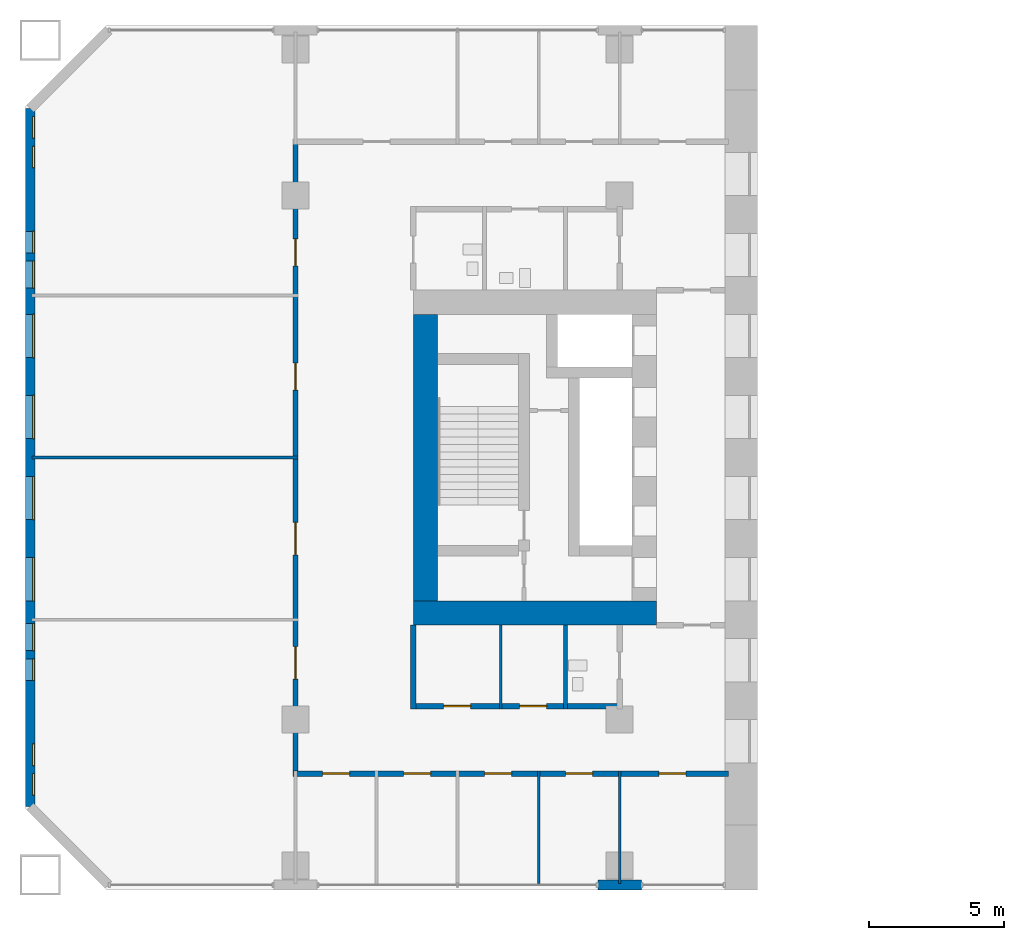
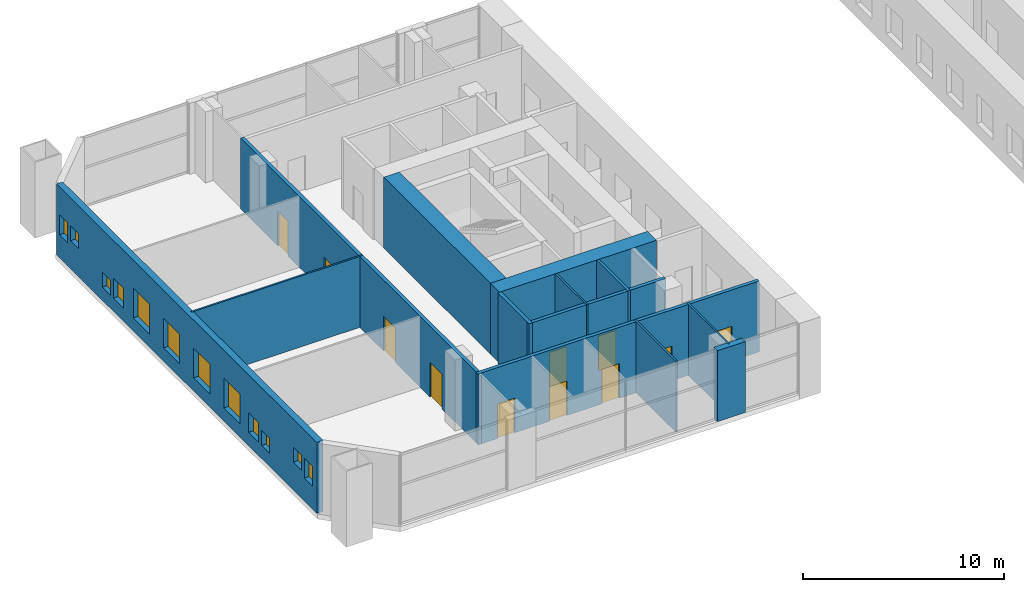
# One storey, part 10 of 21: 13 walls, 12 windows, 11 doors, 23 openings.
"""IFC4 building model written with IfcOpenShell, lengths in metres."""

from ifc_helpers import new_model, si_unit, direction, frame, frame_2d, origin, place, context, subcontext, project, spatial, rectangle, extrude, material, layer, layer_set, type_object, element, fill, save


model = new_model("IFC4")

# Units and contexts
model_context = context("Model", 3, precision=1e-05, world=origin(), true_north=direction((0.0, 1.0)))
body_context = subcontext(model_context, "Body", "Model", "MODEL_VIEW")
ifc_project = project(units=[si_unit("LENGTHUNIT", "METRE"), si_unit("AREAUNIT", "SQUARE_METRE"), si_unit("VOLUMEUNIT", "CUBIC_METRE"), si_unit("PLANEANGLEUNIT", "RADIAN"), si_unit("MASSUNIT", "GRAM", prefix="KILO")], contexts=[model_context])

# Site, building, storey
site_placement = place(None, origin())
site = spatial("IfcSite", under=ifc_project, at=site_placement, CompositionType="ELEMENT")
building_placement = place(site_placement, origin())
building = spatial("IfcBuilding", under=site, at=building_placement, Name="Tuart Gate Housing", CompositionType="ELEMENT")
storey_placement = place(building_placement, frame((0.0, 0.0, 5.5)))
storey = spatial("IfcBuildingStorey", under=building, at=storey_placement, Name="L01", CompositionType="ELEMENT", Elevation=5.5)

# Walls
ifc_material_1 = material(Name="Gypsum board on steel studs", Category="steel")
ifc_layer_1 = layer(ifc_material_1, 0.14990234375)
ifc_layer_set_1 = layer_set([ifc_layer_1], Name="Bathroom wall 150")
wall_type_1 = type_object("IfcWallType", Name="Bathroom wall 150", PredefinedType="PLUMBINGWALL", material=ifc_layer_set_1)
wall_1_placement = place(storey_placement, frame((38.0, 60.699951171875, 0.0), z_axis=(0.0, 0.0, 1.0), x_axis=(0.0, 1.0, 0.0)))
element("IfcWall", 1, at=wall_1_placement, inside=storey, type_object=wall_type_1, Name="Bathroom wall 150", PredefinedType="PLUMBINGWALL", context=body_context, shape_type="SweptSolid", body=[
    extrude(rectangle(XDim=3.10009765625, YDim=0.14990234375, at=frame_2d((1.550048828125, 0.0))), origin(), (0.0, 0.0, 1.0), 4.300048828125),
])
ifc_material_2 = material(Name="Brick", Category="masonry")
ifc_layer_2 = layer(ifc_material_2, 0.360107421875)
ifc_layer_set_2 = layer_set([ifc_layer_2], Name="Brick pier and spandrel wall 360")
wall_type_2 = type_object("IfcWallType", Name="Brick pier and spandrel wall 360", PredefinedType="STANDARD", material=ifc_layer_set_2)
wall_2_placement = place(storey_placement, frame((39.199951171875, 54.179931640625, 0.0), z_axis=(0.0, 0.0, 1.0), x_axis=(1.0, 0.0, 0.0)))
element("IfcWall", 2, at=wall_2_placement, inside=storey, type_object=wall_type_2, Name="External wall A-S L01", PredefinedType="STANDARD", context=body_context, shape_type="SweptSolid", body=[
    extrude(rectangle(XDim=1.60009765625, YDim=0.360107421875, at=frame_2d((0.800048828125, 0.0))), origin(), (0.0, 0.0, 1.0), 4.300048828125),
])

# Wall, openings, windows
wall_3_placement = place(storey_placement, frame((18.179931640625, 82.92529296875, 0.0), z_axis=(0.0, 0.0, 1.0), x_axis=(0.0, -1.0, 0.0)))
wall_3 = element("IfcWall", 3, at=wall_3_placement, inside=storey, type_object=wall_type_2, Name="External wall A-W L01", PredefinedType="STANDARD", context=body_context, shape_type="SweptSolid", body=[
    extrude(rectangle(XDim=25.850830078125, YDim=0.360107421875, at=frame_2d((12.92529296875, 0.0))), origin(), (0.0, 0.0, 1.0), 4.300048828125),
])
opening_1_placement = place(wall_3_placement, frame((0.300048828125, 0.0, 1.39990234375)))
opening_1 = element("IfcOpeningElement", 4, at=opening_1_placement, cuts=wall_3, Name="Opening W1P", PredefinedType="OPENING", context=body_context, shape_type="SweptSolid", body=[
    extrude(rectangle(XDim=0.800048828125, YDim=1.199951171875, at=frame_2d((0.39990234375, 0.60009765625))), frame((0.0, 0.18994140625, 0.0), z_axis=(0.0, -1.0, 0.0), x_axis=(1.0, 0.0, 0.0)), (0.0, 0.0, 1.0), 0.380126953125),
])
opening_2_placement = place(wall_3_placement, frame((1.39990234375, 0.0, 1.699951171875)))
opening_2 = element("IfcOpeningElement", 5, at=opening_2_placement, cuts=wall_3, Name="Opening W1V", PredefinedType="OPENING", context=body_context, shape_type="SweptSolid", body=[
    extrude(rectangle(XDim=0.800048828125, YDim=0.89990234375, at=frame_2d((0.39990234375, 0.449951171875))), frame((0.0, 0.18994140625, 0.0), z_axis=(0.0, -1.0, 0.0), x_axis=(1.0, 0.0, 0.0)), (0.0, 0.0, 1.0), 0.380126953125),
])
opening_3_placement = place(wall_3_placement, frame((7.62548828125, 0.0, 0.800048828125)))
opening_3 = element("IfcOpeningElement", 6, at=opening_3_placement, cuts=wall_3, Name="Opening W1", PredefinedType="OPENING", context=body_context, shape_type="SweptSolid", body=[
    extrude(rectangle(XDim=1.60009765625, YDim=1.800048828125, at=frame_2d((0.800048828125, 0.89990234375))), frame((0.0, 0.18994140625, 0.0), z_axis=(0.0, -1.0, 0.0), x_axis=(1.0, 0.0, 0.0)), (0.0, 0.0, 1.0), 0.380126953125),
])
opening_4_placement = place(wall_3_placement, frame((10.62548828125, 0.0, 0.800048828125)))
opening_4 = element("IfcOpeningElement", 7, at=opening_4_placement, cuts=wall_3, Name="Opening W1", PredefinedType="OPENING", context=body_context, shape_type="SweptSolid", body=[
    extrude(rectangle(XDim=1.60009765625, YDim=1.800048828125, at=frame_2d((0.800048828125, 0.89990234375))), frame((0.0, 0.18994140625, 0.0), z_axis=(0.0, -1.0, 0.0), x_axis=(1.0, 0.0, 0.0)), (0.0, 0.0, 1.0), 0.380126953125),
])
opening_5_placement = place(wall_3_placement, frame((13.62548828125, 0.0, 0.800048828125)))
opening_5 = element("IfcOpeningElement", 8, at=opening_5_placement, cuts=wall_3, Name="Opening W1", PredefinedType="OPENING", context=body_context, shape_type="SweptSolid", body=[
    extrude(rectangle(XDim=1.60009765625, YDim=1.800048828125, at=frame_2d((0.800048828125, 0.89990234375))), frame((0.0, 0.18994140625, 0.0), z_axis=(0.0, -1.0, 0.0), x_axis=(1.0, 0.0, 0.0)), (0.0, 0.0, 1.0), 0.380126953125),
])
opening_6_placement = place(wall_3_placement, frame((16.62548828125, 0.0, 0.800048828125)))
opening_6 = element("IfcOpeningElement", 9, at=opening_6_placement, cuts=wall_3, Name="Opening W1", PredefinedType="OPENING", context=body_context, shape_type="SweptSolid", body=[
    extrude(rectangle(XDim=1.60009765625, YDim=1.800048828125, at=frame_2d((0.800048828125, 0.89990234375))), frame((0.0, 0.18994140625, 0.0), z_axis=(0.0, -1.0, 0.0), x_axis=(1.0, 0.0, 0.0)), (0.0, 0.0, 1.0), 0.380126953125),
])
opening_7_placement = place(wall_3_placement, frame((19.075439453125, 0.0, 0.800048828125)))
opening_7 = element("IfcOpeningElement", 10, at=opening_7_placement, cuts=wall_3, Name="Opening W1O", PredefinedType="OPENING", context=body_context, shape_type="SweptSolid", body=[
    extrude(rectangle(XDim=1.0, YDim=1.199951171875, at=frame_2d((0.5, 0.60009765625))), frame((0.0, 0.18994140625, 0.0), z_axis=(0.0, -1.0, 0.0), x_axis=(1.0, 0.0, 0.0)), (0.0, 0.0, 1.0), 0.380126953125),
])
opening_8_placement = place(wall_3_placement, frame((20.37548828125, 0.0, 0.800048828125)))
opening_8 = element("IfcOpeningElement", 11, at=opening_8_placement, cuts=wall_3, Name="Opening W1V", PredefinedType="OPENING", context=body_context, shape_type="SweptSolid", body=[
    extrude(rectangle(XDim=0.800048828125, YDim=0.89990234375, at=frame_2d((0.39990234375, 0.449951171875))), frame((0.0, 0.18994140625, 0.0), z_axis=(0.0, -1.0, 0.0), x_axis=(1.0, 0.0, 0.0)), (0.0, 0.0, 1.0), 0.380126953125),
])
opening_9_placement = place(wall_3_placement, frame((4.550048828125, 0.0, 0.800048828125)))
opening_9 = element("IfcOpeningElement", 12, at=opening_9_placement, cuts=wall_3, Name="Opening W1V", PredefinedType="OPENING", context=body_context, shape_type="SweptSolid", body=[
    extrude(rectangle(XDim=0.800048828125, YDim=0.89990234375, at=frame_2d((0.39990234375, 0.449951171875))), frame((0.0, 0.18994140625, 0.0), z_axis=(0.0, -1.0, 0.0), x_axis=(1.0, 0.0, 0.0)), (0.0, 0.0, 1.0), 0.380126953125),
])
opening_10_placement = place(wall_3_placement, frame((5.64990234375, 0.0, 0.800048828125)))
opening_10 = element("IfcOpeningElement", 13, at=opening_10_placement, cuts=wall_3, Name="Opening W1O", PredefinedType="OPENING", context=body_context, shape_type="SweptSolid", body=[
    extrude(rectangle(XDim=1.0, YDim=1.199951171875, at=frame_2d((0.5, 0.60009765625))), frame((0.0, 0.18994140625, 0.0), z_axis=(0.0, -1.0, 0.0), x_axis=(1.0, 0.0, 0.0)), (0.0, 0.0, 1.0), 0.380126953125),
])
opening_11_placement = place(wall_3_placement, frame((23.525390625, 0.0, 1.699951171875)))
opening_11 = element("IfcOpeningElement", 14, at=opening_11_placement, cuts=wall_3, Name="Opening W1V", PredefinedType="OPENING", context=body_context, shape_type="SweptSolid", body=[
    extrude(rectangle(XDim=0.800048828125, YDim=0.89990234375, at=frame_2d((0.39990234375, 0.449951171875))), frame((0.0, 0.18994140625, 0.0), z_axis=(0.0, -1.0, 0.0), x_axis=(1.0, 0.0, 0.0)), (0.0, 0.0, 1.0), 0.380126953125),
])
opening_12_placement = place(wall_3_placement, frame((24.62548828125, 0.0, 1.39990234375)))
opening_12 = element("IfcOpeningElement", 15, at=opening_12_placement, cuts=wall_3, Name="Opening W1P", PredefinedType="OPENING", context=body_context, shape_type="SweptSolid", body=[
    extrude(rectangle(XDim=0.800048828125, YDim=1.199951171875, at=frame_2d((0.39990234375, 0.60009765625))), frame((0.0, 0.18994140625, 0.0), z_axis=(0.0, -1.0, 0.0), x_axis=(1.0, 0.0, 0.0)), (0.0, 0.0, 1.0), 0.380126953125),
])
ifc_material_3 = material(Name="Aluminium frame with clear glass", Category="aluminium")
window_type_1 = type_object("IfcWindowType", Name="Punched window 1000 x 1200", PartitioningType="SINGLE_PANEL", PredefinedType="WINDOW", material=ifc_material_3)
window_1_placement = place(opening_7_placement, origin())
window_1 = element("IfcWindow", 16, at=window_1_placement, inside=storey, type_object=window_type_1, Name="Window W1O", OverallHeight=1.199951171875, OverallWidth=1.0, PartitioningType="SINGLE_PANEL", PredefinedType="WINDOW", context=body_context, shape_type="SweptSolid", body=[
    extrude(rectangle(XDim=1.0, YDim=1.199951171875, at=frame_2d((0.5, 0.60009765625))), frame((0.0, 0.150146484375, 0.0), z_axis=(0.0, -1.0, 0.0), x_axis=(1.0, 0.0, 0.0)), (0.0, 0.0, 1.0), 0.06005859375),
])
fill(opening_7, window_1)
window_2_placement = place(opening_10_placement, origin())
window_2 = element("IfcWindow", 17, at=window_2_placement, inside=storey, type_object=window_type_1, Name="Window W1O", OverallHeight=1.199951171875, OverallWidth=1.0, PartitioningType="SINGLE_PANEL", PredefinedType="WINDOW", context=body_context, shape_type="SweptSolid", body=[
    extrude(rectangle(XDim=1.0, YDim=1.199951171875, at=frame_2d((0.5, 0.60009765625))), frame((0.0, 0.150146484375, 0.0), z_axis=(0.0, -1.0, 0.0), x_axis=(1.0, 0.0, 0.0)), (0.0, 0.0, 1.0), 0.06005859375),
])
fill(opening_10, window_2)
ifc_material_4 = material(Name="Aluminium frame with clear glass", Category="aluminium")
window_type_2 = type_object("IfcWindowType", Name="Punched window 1600 x 1800", PartitioningType="SINGLE_PANEL", PredefinedType="WINDOW", material=ifc_material_4)
window_3_placement = place(opening_3_placement, origin())
window_3 = element("IfcWindow", 18, at=window_3_placement, inside=storey, type_object=window_type_2, Name="Window W1", OverallHeight=1.800048828125, OverallWidth=1.60009765625, PartitioningType="SINGLE_PANEL", PredefinedType="WINDOW", context=body_context, shape_type="SweptSolid", body=[
    extrude(rectangle(XDim=1.60009765625, YDim=1.800048828125, at=frame_2d((0.800048828125, 0.89990234375))), frame((0.0, 0.150146484375, 0.0), z_axis=(0.0, -1.0, 0.0), x_axis=(1.0, 0.0, 0.0)), (0.0, 0.0, 1.0), 0.06005859375),
])
fill(opening_3, window_3)
window_4_placement = place(opening_4_placement, origin())
window_4 = element("IfcWindow", 19, at=window_4_placement, inside=storey, type_object=window_type_2, Name="Window W1", OverallHeight=1.800048828125, OverallWidth=1.60009765625, PartitioningType="SINGLE_PANEL", PredefinedType="WINDOW", context=body_context, shape_type="SweptSolid", body=[
    extrude(rectangle(XDim=1.60009765625, YDim=1.800048828125, at=frame_2d((0.800048828125, 0.89990234375))), frame((0.0, 0.150146484375, 0.0), z_axis=(0.0, -1.0, 0.0), x_axis=(1.0, 0.0, 0.0)), (0.0, 0.0, 1.0), 0.06005859375),
])
fill(opening_4, window_4)
window_5_placement = place(opening_5_placement, origin())
window_5 = element("IfcWindow", 20, at=window_5_placement, inside=storey, type_object=window_type_2, Name="Window W1", OverallHeight=1.800048828125, OverallWidth=1.60009765625, PartitioningType="SINGLE_PANEL", PredefinedType="WINDOW", context=body_context, shape_type="SweptSolid", body=[
    extrude(rectangle(XDim=1.60009765625, YDim=1.800048828125, at=frame_2d((0.800048828125, 0.89990234375))), frame((0.0, 0.150146484375, 0.0), z_axis=(0.0, -1.0, 0.0), x_axis=(1.0, 0.0, 0.0)), (0.0, 0.0, 1.0), 0.06005859375),
])
fill(opening_5, window_5)
window_6_placement = place(opening_6_placement, origin())
window_6 = element("IfcWindow", 21, at=window_6_placement, inside=storey, type_object=window_type_2, Name="Window W1", OverallHeight=1.800048828125, OverallWidth=1.60009765625, PartitioningType="SINGLE_PANEL", PredefinedType="WINDOW", context=body_context, shape_type="SweptSolid", body=[
    extrude(rectangle(XDim=1.60009765625, YDim=1.800048828125, at=frame_2d((0.800048828125, 0.89990234375))), frame((0.0, 0.150146484375, 0.0), z_axis=(0.0, -1.0, 0.0), x_axis=(1.0, 0.0, 0.0)), (0.0, 0.0, 1.0), 0.06005859375),
])
fill(opening_6, window_6)
ifc_material_5 = material(Name="Aluminium frame with clear glass", Category="aluminium")
window_type_3 = type_object("IfcWindowType", Name="Punched window 800 x 1200", PartitioningType="SINGLE_PANEL", PredefinedType="WINDOW", material=ifc_material_5)
window_7_placement = place(opening_1_placement, origin())
window_7 = element("IfcWindow", 22, at=window_7_placement, inside=storey, type_object=window_type_3, Name="Window W1P", OverallHeight=1.199951171875, OverallWidth=0.800048828125, PartitioningType="SINGLE_PANEL", PredefinedType="WINDOW", context=body_context, shape_type="SweptSolid", body=[
    extrude(rectangle(XDim=0.800048828125, YDim=1.199951171875, at=frame_2d((0.39990234375, 0.60009765625))), frame((0.0, 0.150146484375, 0.0), z_axis=(0.0, -1.0, 0.0), x_axis=(1.0, 0.0, 0.0)), (0.0, 0.0, 1.0), 0.06005859375),
])
fill(opening_1, window_7)
window_8_placement = place(opening_12_placement, origin())
window_8 = element("IfcWindow", 23, at=window_8_placement, inside=storey, type_object=window_type_3, Name="Window W1P", OverallHeight=1.199951171875, OverallWidth=0.800048828125, PartitioningType="SINGLE_PANEL", PredefinedType="WINDOW", context=body_context, shape_type="SweptSolid", body=[
    extrude(rectangle(XDim=0.800048828125, YDim=1.199951171875, at=frame_2d((0.39990234375, 0.60009765625))), frame((0.0, 0.150146484375, 0.0), z_axis=(0.0, -1.0, 0.0), x_axis=(1.0, 0.0, 0.0)), (0.0, 0.0, 1.0), 0.06005859375),
])
fill(opening_12, window_8)
ifc_material_6 = material(Name="Aluminium frame with clear glass", Category="aluminium")
window_type_4 = type_object("IfcWindowType", Name="Punched window 800 x 900", PartitioningType="SINGLE_PANEL", PredefinedType="WINDOW", material=ifc_material_6)
window_9_placement = place(opening_2_placement, origin())
window_9 = element("IfcWindow", 24, at=window_9_placement, inside=storey, type_object=window_type_4, Name="Window W1V", OverallHeight=0.89990234375, OverallWidth=0.800048828125, PartitioningType="SINGLE_PANEL", PredefinedType="WINDOW", context=body_context, shape_type="SweptSolid", body=[
    extrude(rectangle(XDim=0.800048828125, YDim=0.89990234375, at=frame_2d((0.39990234375, 0.449951171875))), frame((0.0, 0.150146484375, 0.0), z_axis=(0.0, -1.0, 0.0), x_axis=(1.0, 0.0, 0.0)), (0.0, 0.0, 1.0), 0.06005859375),
])
fill(opening_2, window_9)
window_10_placement = place(opening_8_placement, origin())
window_10 = element("IfcWindow", 25, at=window_10_placement, inside=storey, type_object=window_type_4, Name="Window W1V", OverallHeight=0.89990234375, OverallWidth=0.800048828125, PartitioningType="SINGLE_PANEL", PredefinedType="WINDOW", context=body_context, shape_type="SweptSolid", body=[
    extrude(rectangle(XDim=0.800048828125, YDim=0.89990234375, at=frame_2d((0.39990234375, 0.449951171875))), frame((0.0, 0.150146484375, 0.0), z_axis=(0.0, -1.0, 0.0), x_axis=(1.0, 0.0, 0.0)), (0.0, 0.0, 1.0), 0.06005859375),
])
fill(opening_8, window_10)
window_11_placement = place(opening_9_placement, origin())
window_11 = element("IfcWindow", 26, at=window_11_placement, inside=storey, type_object=window_type_4, Name="Window W1V", OverallHeight=0.89990234375, OverallWidth=0.800048828125, PartitioningType="SINGLE_PANEL", PredefinedType="WINDOW", context=body_context, shape_type="SweptSolid", body=[
    extrude(rectangle(XDim=0.800048828125, YDim=0.89990234375, at=frame_2d((0.39990234375, 0.449951171875))), frame((0.0, 0.150146484375, 0.0), z_axis=(0.0, -1.0, 0.0), x_axis=(1.0, 0.0, 0.0)), (0.0, 0.0, 1.0), 0.06005859375),
])
fill(opening_9, window_11)
window_12_placement = place(opening_11_placement, origin())
window_12 = element("IfcWindow", 27, at=window_12_placement, inside=storey, type_object=window_type_4, Name="Window W1V", OverallHeight=0.89990234375, OverallWidth=0.800048828125, PartitioningType="SINGLE_PANEL", PredefinedType="WINDOW", context=body_context, shape_type="SweptSolid", body=[
    extrude(rectangle(XDim=0.800048828125, YDim=0.89990234375, at=frame_2d((0.39990234375, 0.449951171875))), frame((0.0, 0.150146484375, 0.0), z_axis=(0.0, -1.0, 0.0), x_axis=(1.0, 0.0, 0.0)), (0.0, 0.0, 1.0), 0.06005859375),
])
fill(opening_11, window_12)

# Walls
ifc_material_7 = material(Name="Concrete C60", Category="concrete")
ifc_layer_3 = layer(ifc_material_7, 0.89990234375)
ifc_layer_set_3 = layer_set([ifc_layer_3], Name="Core wall 900 C60")
wall_type_3 = type_object("IfcWallType", Name="Core wall 900 C60", PredefinedType="SHEAR", material=ifc_layer_set_3)
wall_4_placement = place(storey_placement, frame((32.81005859375, 75.300048828125, 0.0), z_axis=(0.0, 0.0, 1.0), x_axis=(0.0, -1.0, 0.0)))
element("IfcWall", 28, at=wall_4_placement, inside=storey, type_object=wall_type_3, Name="Core wall AK back", PredefinedType="SHEAR", context=body_context, shape_type="SweptSolid", body=[
    extrude(rectangle(XDim=10.60009765625, YDim=0.89990234375, at=frame_2d((5.300048828125, 0.0))), origin(), (0.0, 0.0, 1.0), 4.300048828125),
])
wall_5_placement = place(storey_placement, frame((41.360107421875, 64.25, 0.0), z_axis=(0.0, 0.0, 1.0), x_axis=(-1.0, 0.0, 0.0)))
element("IfcWall", 29, at=wall_5_placement, inside=storey, type_object=wall_type_3, Name="Core wall AK north", PredefinedType="SHEAR", context=body_context, shape_type="SweptSolid", body=[
    extrude(rectangle(XDim=9.0, YDim=0.89990234375, at=frame_2d((4.5, 0.0))), origin(), (0.0, 0.0, 1.0), 4.300048828125),
])

# Wall, openings, doors
ifc_material_8 = material(Name="Concrete masonry 15 MPa", Category="masonry")
ifc_layer_4 = layer(ifc_material_8, 0.199951171875)
ifc_layer_set_4 = layer_set([ifc_layer_4], Name="Corridor wall masonry 200")
wall_type_4 = type_object("IfcWallType", Name="Corridor wall masonry 200", PredefinedType="PARTITIONING", material=ifc_layer_set_4)
wall_6_placement = place(storey_placement, frame((27.89990234375, 58.300048828125, 0.0), z_axis=(0.0, 0.0, 1.0), x_axis=(1.0, 0.0, 0.0)))
wall_6 = element("IfcWall", 30, at=wall_6_placement, inside=storey, type_object=wall_type_4, Name="Corridor wall masonry 200", PredefinedType="PARTITIONING", context=body_context, shape_type="SweptSolid", body=[
    extrude(rectangle(XDim=16.1201171875, YDim=0.199951171875, at=frame_2d((8.06005859375, 0.0))), origin(), (0.0, 0.0, 1.0), 4.300048828125),
])
opening_13_placement = place(wall_6_placement, frame((1.10009765625, 0.0, 0.0)))
opening_13 = element("IfcOpeningElement", 31, at=opening_13_placement, cuts=wall_6, Name="Opening D3121", PredefinedType="OPENING", context=body_context, shape_type="SweptSolid", body=[
    extrude(rectangle(XDim=1.0, YDim=2.10009765625, at=frame_2d((0.5, 1.050048828125))), frame((0.0, 0.10986328125, 0.0), z_axis=(0.0, -1.0, 0.0), x_axis=(1.0, 0.0, 0.0)), (0.0, 0.0, 1.0), 0.219970703125),
])
opening_14_placement = place(wall_6_placement, frame((4.10009765625, 0.0, 0.0)))
opening_14 = element("IfcOpeningElement", 32, at=opening_14_placement, cuts=wall_6, Name="Opening D3122", PredefinedType="OPENING", context=body_context, shape_type="SweptSolid", body=[
    extrude(rectangle(XDim=1.0, YDim=2.10009765625, at=frame_2d((0.5, 1.050048828125))), frame((0.0, 0.10986328125, 0.0), z_axis=(0.0, -1.0, 0.0), x_axis=(1.0, 0.0, 0.0)), (0.0, 0.0, 1.0), 0.219970703125),
])
opening_15_placement = place(wall_6_placement, frame((7.10009765625, 0.0, 0.0)))
opening_15 = element("IfcOpeningElement", 33, at=opening_15_placement, cuts=wall_6, Name="Opening D3123", PredefinedType="OPENING", context=body_context, shape_type="SweptSolid", body=[
    extrude(rectangle(XDim=1.0, YDim=2.10009765625, at=frame_2d((0.5, 1.050048828125))), frame((0.0, 0.10986328125, 0.0), z_axis=(0.0, -1.0, 0.0), x_axis=(1.0, 0.0, 0.0)), (0.0, 0.0, 1.0), 0.219970703125),
])
opening_16_placement = place(wall_6_placement, frame((10.10009765625, 0.0, 0.0)))
opening_16 = element("IfcOpeningElement", 34, at=opening_16_placement, cuts=wall_6, Name="Opening D3124", PredefinedType="OPENING", context=body_context, shape_type="SweptSolid", body=[
    extrude(rectangle(XDim=1.0, YDim=2.10009765625, at=frame_2d((0.5, 1.050048828125))), frame((0.0, 0.10986328125, 0.0), z_axis=(0.0, -1.0, 0.0), x_axis=(1.0, 0.0, 0.0)), (0.0, 0.0, 1.0), 0.219970703125),
])
opening_17_placement = place(wall_6_placement, frame((13.550048828125, 0.0, 0.0)))
opening_17 = element("IfcOpeningElement", 35, at=opening_17_placement, cuts=wall_6, Name="Opening D3125", PredefinedType="OPENING", context=body_context, shape_type="SweptSolid", body=[
    extrude(rectangle(XDim=1.0, YDim=2.10009765625, at=frame_2d((0.5, 1.050048828125))), frame((0.0, 0.10986328125, 0.0), z_axis=(0.0, -1.0, 0.0), x_axis=(1.0, 0.0, 0.0)), (0.0, 0.0, 1.0), 0.219970703125),
])
ifc_material_9 = material(Name="Timber door leaf in steel frame", Category="steel")
door_type_1 = type_object("IfcDoorType", Name="Fire door 1000 RH", OperationType="SINGLE_SWING_RIGHT", PredefinedType="DOOR", material=ifc_material_9)
door_1_placement = place(opening_13_placement, frame((1.0, 0.0, 0.0), z_axis=(0.0, 0.0, 1.0), x_axis=(-1.0, 0.0, 0.0)))
door_1 = element("IfcDoor", 36, at=door_1_placement, inside=storey, type_object=door_type_1, Name="Fire door 1000", OperationType="SINGLE_SWING_RIGHT", OverallHeight=2.10009765625, OverallWidth=1.0, PredefinedType="DOOR", context=body_context, shape_type="SweptSolid", body=[
    extrude(rectangle(XDim=1.0, YDim=2.10009765625, at=frame_2d((0.5, 1.050048828125))), frame((0.0, 0.025146484375, 0.0), z_axis=(0.0, -1.0, 0.0), x_axis=(1.0, 0.0, 0.0)), (0.0, 0.0, 1.0), 0.050048828125),
])
fill(opening_13, door_1)
door_2_placement = place(opening_14_placement, frame((1.0, 0.0, 0.0), z_axis=(0.0, 0.0, 1.0), x_axis=(-1.0, 0.0, 0.0)))
door_2 = element("IfcDoor", 37, at=door_2_placement, inside=storey, type_object=door_type_1, Name="Fire door 1000", OperationType="SINGLE_SWING_RIGHT", OverallHeight=2.10009765625, OverallWidth=1.0, PredefinedType="DOOR", context=body_context, shape_type="SweptSolid", body=[
    extrude(rectangle(XDim=1.0, YDim=2.10009765625, at=frame_2d((0.5, 1.050048828125))), frame((0.0, 0.025146484375, 0.0), z_axis=(0.0, -1.0, 0.0), x_axis=(1.0, 0.0, 0.0)), (0.0, 0.0, 1.0), 0.050048828125),
])
fill(opening_14, door_2)
door_3_placement = place(opening_15_placement, frame((1.0, 0.0, 0.0), z_axis=(0.0, 0.0, 1.0), x_axis=(-1.0, 0.0, 0.0)))
door_3 = element("IfcDoor", 38, at=door_3_placement, inside=storey, type_object=door_type_1, Name="Fire door 1000", OperationType="SINGLE_SWING_RIGHT", OverallHeight=2.10009765625, OverallWidth=1.0, PredefinedType="DOOR", context=body_context, shape_type="SweptSolid", body=[
    extrude(rectangle(XDim=1.0, YDim=2.10009765625, at=frame_2d((0.5, 1.050048828125))), frame((0.0, 0.025146484375, 0.0), z_axis=(0.0, -1.0, 0.0), x_axis=(1.0, 0.0, 0.0)), (0.0, 0.0, 1.0), 0.050048828125),
])
fill(opening_15, door_3)
door_4_placement = place(opening_16_placement, frame((1.0, 0.0, 0.0), z_axis=(0.0, 0.0, 1.0), x_axis=(-1.0, 0.0, 0.0)))
door_4 = element("IfcDoor", 39, at=door_4_placement, inside=storey, type_object=door_type_1, Name="Fire door 1000", OperationType="SINGLE_SWING_RIGHT", OverallHeight=2.10009765625, OverallWidth=1.0, PredefinedType="DOOR", context=body_context, shape_type="SweptSolid", body=[
    extrude(rectangle(XDim=1.0, YDim=2.10009765625, at=frame_2d((0.5, 1.050048828125))), frame((0.0, 0.025146484375, 0.0), z_axis=(0.0, -1.0, 0.0), x_axis=(1.0, 0.0, 0.0)), (0.0, 0.0, 1.0), 0.050048828125),
])
fill(opening_16, door_4)
door_5_placement = place(opening_17_placement, frame((1.0, 0.0, 0.0), z_axis=(0.0, 0.0, 1.0), x_axis=(-1.0, 0.0, 0.0)))
door_5 = element("IfcDoor", 40, at=door_5_placement, inside=storey, type_object=door_type_1, Name="Fire door 1000", OperationType="SINGLE_SWING_RIGHT", OverallHeight=2.10009765625, OverallWidth=1.0, PredefinedType="DOOR", context=body_context, shape_type="SweptSolid", body=[
    extrude(rectangle(XDim=1.0, YDim=2.10009765625, at=frame_2d((0.5, 1.050048828125))), frame((0.0, 0.025146484375, 0.0), z_axis=(0.0, -1.0, 0.0), x_axis=(1.0, 0.0, 0.0)), (0.0, 0.0, 1.0), 0.050048828125),
])
fill(opening_17, door_5)

wall_7_placement = place(storey_placement, frame((32.260009765625, 60.800048828125, 0.0), z_axis=(0.0, 0.0, 1.0), x_axis=(1.0, 0.0, 0.0)))
wall_7 = element("IfcWall", 41, at=wall_7_placement, inside=storey, type_object=wall_type_4, Name="Corridor wall masonry 200", PredefinedType="PARTITIONING", context=body_context, shape_type="SweptSolid", body=[
    extrude(rectangle(XDim=7.840087890625, YDim=0.199951171875, at=frame_2d((3.919921875, 0.0))), origin(), (0.0, 0.0, 1.0), 4.300048828125),
])
opening_18_placement = place(wall_7_placement, frame((1.219970703125, 0.0, 0.0)))
opening_18 = element("IfcOpeningElement", 42, at=opening_18_placement, cuts=wall_7, Name="Opening D3118", PredefinedType="OPENING", context=body_context, shape_type="SweptSolid", body=[
    extrude(rectangle(XDim=1.0, YDim=2.10009765625, at=frame_2d((0.5, 1.050048828125))), frame((0.0, 0.10986328125, 0.0), z_axis=(0.0, -1.0, 0.0), x_axis=(1.0, 0.0, 0.0)), (0.0, 0.0, 1.0), 0.219970703125),
])
opening_19_placement = place(wall_7_placement, frame((4.0400390625, 0.0, 0.0)))
opening_19 = element("IfcOpeningElement", 43, at=opening_19_placement, cuts=wall_7, Name="Opening D3119", PredefinedType="OPENING", context=body_context, shape_type="SweptSolid", body=[
    extrude(rectangle(XDim=1.0, YDim=2.10009765625, at=frame_2d((0.5, 1.050048828125))), frame((0.0, 0.10986328125, 0.0), z_axis=(0.0, -1.0, 0.0), x_axis=(1.0, 0.0, 0.0)), (0.0, 0.0, 1.0), 0.219970703125),
])
ifc_material_10 = material(Name="Timber door leaf in steel frame", Category="steel")
door_type_2 = type_object("IfcDoorType", Name="Fire door 1000", OperationType="SINGLE_SWING_LEFT", PredefinedType="DOOR", material=ifc_material_10)
door_6_placement = place(opening_18_placement, origin())
door_6 = element("IfcDoor", 44, at=door_6_placement, inside=storey, type_object=door_type_2, Name="Fire door 1000", OperationType="SINGLE_SWING_LEFT", OverallHeight=2.10009765625, OverallWidth=1.0, PredefinedType="DOOR", context=body_context, shape_type="SweptSolid", body=[
    extrude(rectangle(XDim=1.0, YDim=2.10009765625, at=frame_2d((0.5, 1.050048828125))), frame((0.0, 0.02490234375, 0.0), z_axis=(0.0, -1.0, 0.0), x_axis=(1.0, 0.0, 0.0)), (0.0, 0.0, 1.0), 0.050048828125),
])
fill(opening_18, door_6)
door_7_placement = place(opening_19_placement, origin())
door_7 = element("IfcDoor", 45, at=door_7_placement, inside=storey, type_object=door_type_2, Name="Fire door 1000", OperationType="SINGLE_SWING_LEFT", OverallHeight=2.10009765625, OverallWidth=1.0, PredefinedType="DOOR", context=body_context, shape_type="SweptSolid", body=[
    extrude(rectangle(XDim=1.0, YDim=2.10009765625, at=frame_2d((0.5, 1.050048828125))), frame((0.0, 0.02490234375, 0.0), z_axis=(0.0, -1.0, 0.0), x_axis=(1.0, 0.0, 0.0)), (0.0, 0.0, 1.0), 0.050048828125),
])
fill(opening_19, door_7)

wall_8_placement = place(storey_placement, frame((28.0, 58.197998046875, 0.0), z_axis=(0.0, 0.0, 1.0), x_axis=(0.0, 1.0, 0.0)))
wall_8 = element("IfcWall", 46, at=wall_8_placement, inside=storey, type_object=wall_type_4, Name="Corridor wall masonry 200", PredefinedType="PARTITIONING", context=body_context, shape_type="SweptSolid", body=[
    extrude(rectangle(XDim=23.60400390625, YDim=0.199951171875, at=frame_2d((11.802001953125, 0.0))), origin(), (0.0, 0.0, 1.0), 4.300048828125),
])
opening_20_placement = place(wall_8_placement, frame((3.60205078125, 0.0, 0.0)))
opening_20 = element("IfcOpeningElement", 47, at=opening_20_placement, cuts=wall_8, Name="Opening D3107", PredefinedType="OPENING", context=body_context, shape_type="SweptSolid", body=[
    extrude(rectangle(XDim=1.199951171875, YDim=2.10009765625, at=frame_2d((0.60009765625, 1.050048828125))), frame((0.0, 0.10986328125, 0.0), z_axis=(0.0, -1.0, 0.0), x_axis=(1.0, 0.0, 0.0)), (0.0, 0.0, 1.0), 0.219970703125),
])
opening_21_placement = place(wall_8_placement, frame((8.201904296875, 0.0, 0.0)))
opening_21 = element("IfcOpeningElement", 48, at=opening_21_placement, cuts=wall_8, Name="Opening D3108", PredefinedType="OPENING", context=body_context, shape_type="SweptSolid", body=[
    extrude(rectangle(XDim=1.199951171875, YDim=2.10009765625, at=frame_2d((0.60009765625, 1.050048828125))), frame((0.0, 0.10986328125, 0.0), z_axis=(0.0, -1.0, 0.0), x_axis=(1.0, 0.0, 0.0)), (0.0, 0.0, 1.0), 0.219970703125),
])
opening_22_placement = place(wall_8_placement, frame((14.302001953125, 0.0, 0.0)))
opening_22 = element("IfcOpeningElement", 49, at=opening_22_placement, cuts=wall_8, Name="Opening D3105", PredefinedType="OPENING", context=body_context, shape_type="SweptSolid", body=[
    extrude(rectangle(XDim=1.0, YDim=2.10009765625, at=frame_2d((0.5, 1.050048828125))), frame((0.0, 0.10986328125, 0.0), z_axis=(0.0, -1.0, 0.0), x_axis=(1.0, 0.0, 0.0)), (0.0, 0.0, 1.0), 0.219970703125),
])
opening_23_placement = place(wall_8_placement, frame((18.902099609375, 0.0, 0.0)))
opening_23 = element("IfcOpeningElement", 50, at=opening_23_placement, cuts=wall_8, Name="Opening D3106", PredefinedType="OPENING", context=body_context, shape_type="SweptSolid", body=[
    extrude(rectangle(XDim=1.0, YDim=2.10009765625, at=frame_2d((0.5, 1.050048828125))), frame((0.0, 0.10986328125, 0.0), z_axis=(0.0, -1.0, 0.0), x_axis=(1.0, 0.0, 0.0)), (0.0, 0.0, 1.0), 0.219970703125),
])
door_8_placement = place(opening_22_placement, origin())
door_8 = element("IfcDoor", 51, at=door_8_placement, inside=storey, type_object=door_type_2, Name="Fire door 1000", OperationType="SINGLE_SWING_LEFT", OverallHeight=2.10009765625, OverallWidth=1.0, PredefinedType="DOOR", context=body_context, shape_type="SweptSolid", body=[
    extrude(rectangle(XDim=1.0, YDim=2.10009765625, at=frame_2d((0.5, 1.050048828125))), frame((0.0, 0.02490234375, 0.0), z_axis=(0.0, -1.0, 0.0), x_axis=(1.0, 0.0, 0.0)), (0.0, 0.0, 1.0), 0.050048828125),
])
fill(opening_22, door_8)
door_9_placement = place(opening_23_placement, origin())
door_9 = element("IfcDoor", 52, at=door_9_placement, inside=storey, type_object=door_type_2, Name="Fire door 1000", OperationType="SINGLE_SWING_LEFT", OverallHeight=2.10009765625, OverallWidth=1.0, PredefinedType="DOOR", context=body_context, shape_type="SweptSolid", body=[
    extrude(rectangle(XDim=1.0, YDim=2.10009765625, at=frame_2d((0.5, 1.050048828125))), frame((0.0, 0.02490234375, 0.0), z_axis=(0.0, -1.0, 0.0), x_axis=(1.0, 0.0, 0.0)), (0.0, 0.0, 1.0), 0.050048828125),
])
fill(opening_23, door_9)
ifc_material_11 = material(Name="Timber door leaf in steel frame", Category="steel")
door_type_3 = type_object("IfcDoorType", Name="Fire door 1200", OperationType="SINGLE_SWING_LEFT", PredefinedType="DOOR", material=ifc_material_11)
door_10_placement = place(opening_21_placement, origin())
door_10 = element("IfcDoor", 53, at=door_10_placement, inside=storey, type_object=door_type_3, Name="Fire door 1200", OperationType="SINGLE_SWING_LEFT", OverallHeight=2.10009765625, OverallWidth=1.199951171875, PredefinedType="DOOR", context=body_context, shape_type="SweptSolid", body=[
    extrude(rectangle(XDim=1.199951171875, YDim=2.10009765625, at=frame_2d((0.60009765625, 1.050048828125))), frame((0.0, 0.02490234375, 0.0), z_axis=(0.0, -1.0, 0.0), x_axis=(1.0, 0.0, 0.0)), (0.0, 0.0, 1.0), 0.050048828125),
])
fill(opening_21, door_10)
ifc_material_12 = material(Name="Timber door leaf in steel frame", Category="steel")
door_type_4 = type_object("IfcDoorType", Name="Fire door 1200 RH", OperationType="SINGLE_SWING_RIGHT", PredefinedType="DOOR", material=ifc_material_12)
door_11_placement = place(opening_20_placement, origin())
door_11 = element("IfcDoor", 54, at=door_11_placement, inside=storey, type_object=door_type_4, Name="Fire door 1200", OperationType="SINGLE_SWING_RIGHT", OverallHeight=2.10009765625, OverallWidth=1.199951171875, PredefinedType="DOOR", context=body_context, shape_type="SweptSolid", body=[
    extrude(rectangle(XDim=1.199951171875, YDim=2.10009765625, at=frame_2d((0.60009765625, 1.050048828125))), frame((0.0, 0.02490234375, 0.0), z_axis=(0.0, -1.0, 0.0), x_axis=(1.0, 0.0, 0.0)), (0.0, 0.0, 1.0), 0.050048828125),
])
fill(opening_20, door_11)

# Walls
wall_9_placement = place(storey_placement, frame((32.360107421875, 60.699951171875, 0.0), z_axis=(0.0, 0.0, 1.0), x_axis=(0.0, 1.0, 0.0)))
element("IfcWall", 55, at=wall_9_placement, inside=storey, type_object=wall_type_4, Name="Corridor wall masonry 200", PredefinedType="PARTITIONING", context=body_context, shape_type="SweptSolid", body=[
    extrude(rectangle(XDim=3.10009765625, YDim=0.199951171875, at=frame_2d((1.550048828125, 0.0))), origin(), (0.0, 0.0, 1.0), 4.300048828125),
])
ifc_material_13 = material(Name="Gypsum board on steel studs", Category="steel")
ifc_layer_5 = layer(ifc_material_13, 0.10009765625)
ifc_layer_set_5 = layer_set([ifc_layer_5], Name="Partition 100")
wall_type_5 = type_object("IfcWallType", Name="Partition 100", PredefinedType="PARTITIONING", material=ifc_layer_set_5)
wall_10_placement = place(storey_placement, frame((18.239990234375, 70.0, 0.0), z_axis=(0.0, 0.0, 1.0), x_axis=(1.0, 0.0, 0.0)))
element("IfcWall", 56, at=wall_10_placement, inside=storey, type_object=wall_type_5, Name="Partition 100", PredefinedType="PARTITIONING", context=body_context, shape_type="SweptSolid", body=[
    extrude(rectangle(XDim=9.860107421875, YDim=0.10009765625, at=frame_2d((4.93017578125, 0.0))), origin(), (0.0, 0.0, 1.0), 4.300048828125),
])
wall_11_placement = place(storey_placement, frame((35.60009765625, 60.699951171875, 0.0), z_axis=(0.0, 0.0, 1.0), x_axis=(0.0, 1.0, 0.0)))
element("IfcWall", 57, at=wall_11_placement, inside=storey, type_object=wall_type_5, Name="Partition 100", PredefinedType="PARTITIONING", context=body_context, shape_type="SweptSolid", body=[
    extrude(rectangle(XDim=3.10009765625, YDim=0.10009765625, at=frame_2d((1.550048828125, 0.0))), origin(), (0.0, 0.0, 1.0), 4.300048828125),
])
for number, where, z_axis, x_axis, name in (
    (58, (37.0, 54.239990234375, 0.0), (0.0, 0.0, 1.0), (0.0, 1.0, 0.0), "Partition 100"),
    (59, (40.0, 54.239990234375, 0.0), (0.0, 0.0, 1.0), (0.0, 1.0, 0.0), "Partition 100"),
):
    element("IfcWall", number, at=place(storey_placement, frame(where, z_axis=z_axis, x_axis=x_axis)), inside=storey, type_object=wall_type_5, Name=name, PredefinedType="PARTITIONING", context=body_context, shape_type="SweptSolid", body=[
        extrude(rectangle(XDim=4.159912109375, YDim=0.10009765625, at=frame_2d((2.080078125, 0.0))), origin(), (0.0, 0.0, 1.0), 4.300048828125),
    ])

save(model, "model.ifc")
